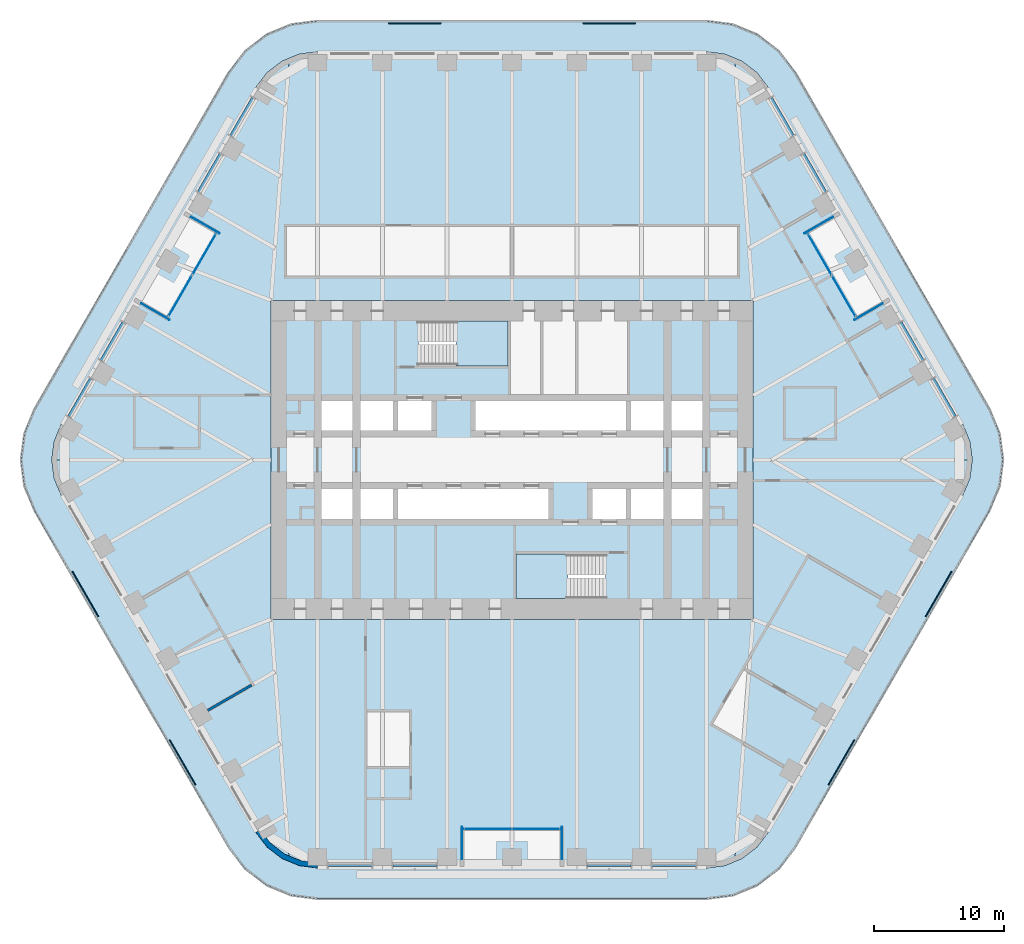
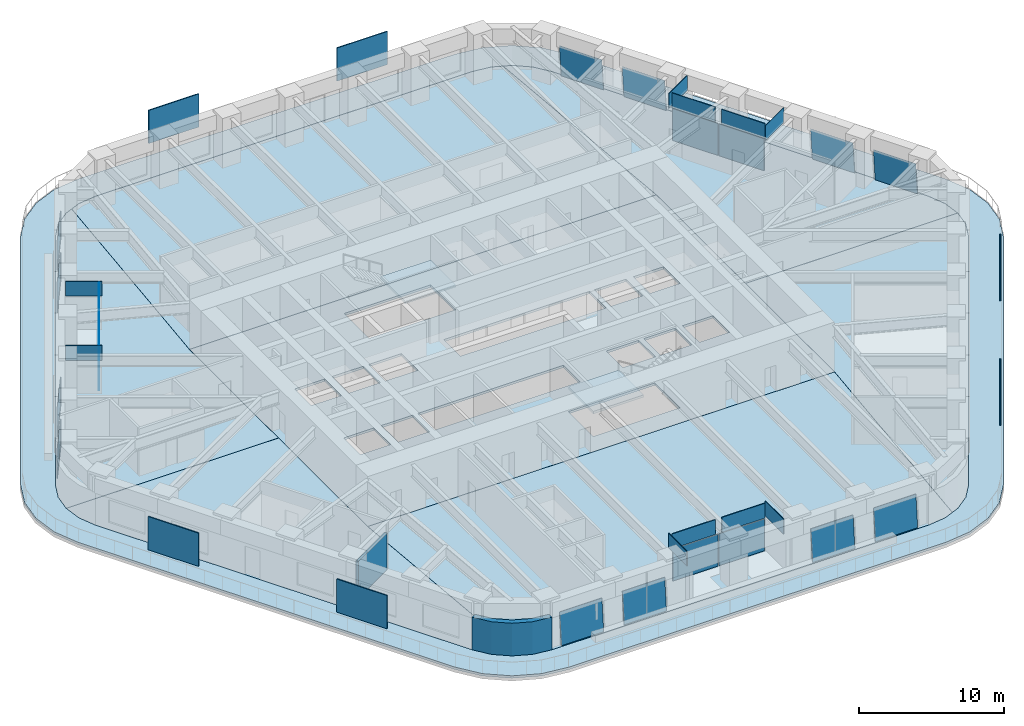
# One storey, part 16 of 24: 36 plates, 10 slabs, 2 walls, 17 elements without a shape of their own.
"""IFC4 building model written with IfcOpenShell, lengths in metres."""

from ifc_helpers import new_model, si_unit, direction, frame, frame_2d, origin, origin_2d, place, context, subcontext, project, spatial, polyline, rectangle, outline, extrude, material, layer, layer_set, type_object, element, aggregate, save


model = new_model("IFC4")

# Units and contexts
model_context = context("Model", 3, precision=1e-05, world=origin(), true_north=direction((0.0, 1.0)))
body_context = subcontext(model_context, "Body", "Model", "MODEL_VIEW")
ifc_project = project(units=[si_unit("LENGTHUNIT", "METRE"), si_unit("AREAUNIT", "SQUARE_METRE"), si_unit("VOLUMEUNIT", "CUBIC_METRE"), si_unit("PLANEANGLEUNIT", "RADIAN"), si_unit("MASSUNIT", "GRAM", prefix="KILO")], contexts=[model_context])

# Site, building, storey
site_placement = place(None, origin())
site = spatial("IfcSite", under=ifc_project, at=site_placement, CompositionType="ELEMENT")
building_placement = place(site_placement, origin())
building = spatial("IfcBuilding", under=site, at=building_placement, Name="Tarfa Lantern Tower", CompositionType="ELEMENT")
storey_placement = place(building_placement, frame((0.0, 0.0, 190.89990234375)))
storey = spatial("IfcBuildingStorey", under=building, at=storey_placement, Name="L43", CompositionType="ELEMENT", Elevation=190.89990234375)

# Slab
ifc_material_1 = material(Name="Concrete C40/50", Category="concrete")
ifc_layer_1 = layer(ifc_material_1, 0.199951171875)
ifc_layer_set_1 = layer_set([ifc_layer_1], Name="BS2 BALCONY SLAB 200")
slab_type_1 = type_object("IfcSlabType", Name="BS2 BALCONY SLAB 200", PredefinedType="FLOOR", material=ifc_layer_set_1)
slab_1_placement = place(storey_placement, frame((0.0, 0.0, -0.199951171875)))
element("IfcSlab", 1, at=slab_1_placement, inside=storey, type_object=slab_type_1, Name="Balcony L43", PredefinedType="FLOOR", context=body_context, shape_type="SweptSolid", body=[
    extrude(outline(polyline([(36.86376953125, 3.949951171875), (21.852783203125, 29.949951171875), (20.59716796875, 31.586181640625), (18.961181640625, 32.841552734375), (17.0556640625, 33.630859375), (15.010986328125, 33.89990234375), (-15.010986328125, 33.89990234375), (-17.0556640625, 33.630859375), (-18.961181640625, 32.841552734375), (-20.59716796875, 31.586181640625), (-21.852783203125, 29.949951171875), (-36.86376953125, 3.949951171875), (-37.653076171875, 2.044677734375), (-37.922119140625, 0.0), (-37.653076171875, -2.044677734375), (-36.86376953125, -3.949951171875), (-21.852783203125, -29.949951171875), (-20.59716796875, -31.586181640625), (-18.961181640625, -32.841552734375), (-17.0556640625, -33.630859375), (-15.010986328125, -33.89990234375), (15.010986328125, -33.89990234375), (17.0556640625, -33.630859375), (18.961181640625, -32.841552734375), (20.59716796875, -31.586181640625), (21.852783203125, -29.949951171875), (36.86376953125, -3.949951171875), (37.653076171875, -2.044677734375), (37.922119140625, 0.0), (37.653076171875, 2.044677734375), (36.86376953125, 3.949951171875)]), holes=[polyline([(34.785400390625, 2.75), (19.774169921875, 28.75), (18.900146484375, 29.88916015625), (17.760986328125, 30.76318359375), (16.4345703125, 31.3125), (15.010986328125, 31.5), (-15.010986328125, 31.5), (-16.4345703125, 31.3125), (-17.760986328125, 30.76318359375), (-18.900146484375, 29.88916015625), (-19.774169921875, 28.75), (-34.785400390625, 2.75), (-35.334716796875, 1.423583984375), (-35.522216796875, 0.0), (-35.334716796875, -1.423583984375), (-34.785400390625, -2.75), (-19.774169921875, -28.75), (-18.900146484375, -29.88916015625), (-17.760986328125, -30.76318359375), (-16.4345703125, -31.3125), (-15.010986328125, -31.5), (15.010986328125, -31.5), (16.4345703125, -31.3125), (17.760986328125, -30.76318359375), (18.900146484375, -29.88916015625), (19.774169921875, -28.75), (34.785400390625, -2.75), (35.334716796875, -1.423583984375), (35.522216796875, 0.0), (35.334716796875, 1.423583984375), (34.785400390625, 2.75)])]), origin(), (0.0, 0.0, 1.0), 0.199951171875),
])

# Curtain wall, plate
ifc_material_2 = material(Name="Aluminium framed curtain wall", Category="aluminium")
curtain_wall_type_1 = type_object("IfcCurtainWallType", Name="CW2 CANTED GLAZING MID ZONE 2750", PredefinedType="USERDEFINED", material=ifc_material_2)
curtain_wall_1_placement = place(storey_placement, origin())
curtain_wall_1 = element("IfcCurtainWall", 2, at=curtain_wall_1_placement, inside=storey, type_object=curtain_wall_type_1, Name="CW2 NE L43", ObjectType="CURTAIN WALL", PredefinedType="USERDEFINED")
ifc_material_3 = material(Name="Laminated double glazing", Category="glass")
ifc_layer_2 = layer(ifc_material_3, 0.028076171875)
ifc_layer_set_2 = layer_set([ifc_layer_2], Name="CWP1 DOUBLE GLAZED PANEL")
plate_type_1 = type_object("IfcPlateType", Name="CWP1 DOUBLE GLAZED PANEL", PredefinedType="CURTAIN_PANEL", material=ifc_layer_set_2)
plate_1_placement = place(storey_placement, frame((34.291259765625, 3.40576171875, 0.0), z_axis=(0.862490403653, 0.497906600839, 0.090550099107), x_axis=(-0.499960487749, 0.866048214992, 0.0)))
plate_1 = element("IfcPlate", 3, at=plate_1_placement, type_object=plate_type_1, Name="CW2 panel 1.1", PredefinedType="CURTAIN_PANEL", context=body_context, shape_type="SweptSolid", body=[
    extrude(outline(polyline([(0.0, 0.0), (3.373801769256558, 0.0), (3.373787529728875, 2.6961345800680987), (-1.4239527682619046e-05, 2.6961345800680987), (0.0, 0.0)])), origin(), (0.0, 0.0, -1.0), 0.028076171875),
])
aggregate(curtain_wall_1, [plate_1])

curtain_wall_2_placement = place(storey_placement, origin())
curtain_wall_2 = element("IfcCurtainWall", 4, at=curtain_wall_2_placement, inside=storey, type_object=curtain_wall_type_1, Name="CW2 NE L43", ObjectType="CURTAIN WALL", PredefinedType="USERDEFINED")
plate_2_placement = place(storey_placement, frame((31.789306640625, 7.7392578125, 0.0), z_axis=(0.86245984588, 0.497966600243, 0.090511210832), x_axis=(-0.500018737427, 0.866014585451, -2.824613e-06)))
plate_2 = element("IfcPlate", 5, at=plate_2_placement, type_object=plate_type_1, Name="CW2 panel 1.1", PredefinedType="CURTAIN_PANEL", context=body_context, shape_type="SweptSolid", body=[
    extrude(outline(polyline([(0.0, 0.0), (3.3735903322694574, -2.7755575615628914e-17), (3.373584929142382, 2.6961345780447465), (-0.00012747801414286628, 2.696115440975584), (0.0, 0.0)])), origin(), (0.0, 0.0, -1.0), 0.028076171875),
])
aggregate(curtain_wall_2, [plate_2])

curtain_wall_3_placement = place(storey_placement, origin())
curtain_wall_3 = element("IfcCurtainWall", 6, at=curtain_wall_3_placement, inside=storey, type_object=curtain_wall_type_1, Name="CW2 NEB L43", ObjectType="CURTAIN WALL", PredefinedType="USERDEFINED")
plate_3_placement = place(storey_placement, frame((24.283935546875, 20.7392578125, 0.0), z_axis=(0.862441180369, 0.497991857304, 0.090550099186), x_axis=(-0.500046095904, 0.865998788666, 0.0)))
plate_3 = element("IfcPlate", 7, at=plate_3_placement, type_object=plate_type_1, Name="CW2 panel 1.1", PredefinedType="CURTAIN_PANEL", context=body_context, shape_type="SweptSolid", body=[
    extrude(outline(polyline([(0.0, 0.0), (3.373712408853507, 2.7755575615628914e-17), (3.373722302583923, 2.696134580087549), (9.893730415961136e-06, 2.696134580087549), (0.0, 0.0)])), origin(), (0.0, 0.0, -1.0), 0.028076171875),
])
aggregate(curtain_wall_3, [plate_3])

curtain_wall_4_placement = place(storey_placement, origin())
curtain_wall_4 = element("IfcCurtainWall", 8, at=curtain_wall_4_placement, inside=storey, type_object=curtain_wall_type_1, Name="CW2 NEB L43", ObjectType="CURTAIN WALL", PredefinedType="USERDEFINED")
plate_4_placement = place(storey_placement, frame((21.781982421875, 25.072509765625, 0.0), z_axis=(0.862472388202, 0.497937806475, 0.090550099238), x_axis=(-0.499991822116, 0.866030125237, 0.0)))
plate_4 = element("IfcPlate", 9, at=plate_4_placement, type_object=plate_type_1, Name="CW2 panel 1.1", PredefinedType="CURTAIN_PANEL", context=body_context, shape_type="SweptSolid", body=[
    extrude(outline(polyline([(0.0, 0.0), (3.3735903339122224, 2.7755575615628914e-17), (3.3735849274996186, 2.6961345801002814), (-5.40641260378432e-06, 2.6961345801002814), (0.0, 0.0)])), origin(), (0.0, 0.0, -1.0), 0.028076171875),
])
aggregate(curtain_wall_4, [plate_4])

# Curtain wall, plates
curtain_wall_type_2 = type_object("IfcCurtainWallType", Name="CW10 LOGGIA GLAZING 2750", PredefinedType="USERDEFINED", material=ifc_material_2)
curtain_wall_5_placement = place(storey_placement, origin())
curtain_wall_5 = element("IfcCurtainWall", 10, at=curtain_wall_5_placement, inside=storey, type_object=curtain_wall_type_2, Name="CW10 NEL L43", ObjectType="CURTAIN WALL", PredefinedType="USERDEFINED")
plate_5_placement = place(storey_placement, frame((25.599609375, 12.660400390625, 0.0), z_axis=(0.0, 0.0, 1.0), x_axis=(-0.5, 0.866025403784, 0.0)))
plate_5 = element("IfcPlate", 11, at=plate_5_placement, type_object=plate_type_1, Name="CW10 panel 1.1", PredefinedType="CURTAIN_PANEL", context=body_context, shape_type="SweptSolid", body=[
    extrude(rectangle(XDim=3.606201171875, YDim=0.028076171875, at=origin_2d()), origin(), (0.0, 0.0, 1.0), 2.68505859375),
])
plate_6_placement = place(storey_placement, frame((23.763916015625, 15.839599609375, 0.0), z_axis=(0.0, 0.0, 1.0), x_axis=(-0.5, 0.866025403784, 0.0)))
plate_6 = element("IfcPlate", 12, at=plate_6_placement, type_object=plate_type_1, Name="CW10 panel 2.1", PredefinedType="CURTAIN_PANEL", context=body_context, shape_type="SweptSolid", body=[
    extrude(rectangle(XDim=3.606201171875, YDim=0.028076171875, at=origin_2d()), origin(), (0.0, 0.0, 1.0), 2.68505859375),
])
aggregate(curtain_wall_5, [plate_5, plate_6])

# Curtain wall, plate
curtain_wall_6_placement = place(storey_placement, origin())
curtain_wall_6 = element("IfcCurtainWall", 13, at=curtain_wall_6_placement, inside=storey, type_object=curtain_wall_type_1, Name="CW2 NW L43", ObjectType="CURTAIN WALL", PredefinedType="USERDEFINED")
plate_7_placement = place(storey_placement, frame((-20.09521484375, 27.994140625, 0.0), z_axis=(-0.862472388202, 0.497937806475, 0.090550099238), x_axis=(-0.499991822116, -0.866030125237, 0.0)))
plate_7 = element("IfcPlate", 14, at=plate_7_placement, type_object=plate_type_1, Name="CW2 panel 1.1", PredefinedType="CURTAIN_PANEL", context=body_context, shape_type="SweptSolid", body=[
    extrude(outline(polyline([(0.0, 0.0), (3.3735903339122224, -2.7755575615628914e-17), (3.3735957403248262, 2.6961345801002814), (5.40641260378432e-06, 2.6961345801002814), (0.0, 0.0)])), origin(), (0.0, 0.0, -1.0), 0.028076171875),
])
aggregate(curtain_wall_6, [plate_7])

curtain_wall_7_placement = place(storey_placement, origin())
curtain_wall_7 = element("IfcCurtainWall", 15, at=curtain_wall_7_placement, inside=storey, type_object=curtain_wall_type_1, Name="CW2 NW L43", ObjectType="CURTAIN WALL", PredefinedType="USERDEFINED")
plate_8_placement = place(storey_placement, frame((-22.596923828125, 23.660888671875, 0.0), z_axis=(-0.862441180369, 0.497991857304, 0.090550099186), x_axis=(-0.500046095904, -0.865998788666, 0.0)))
plate_8 = element("IfcPlate", 16, at=plate_8_placement, type_object=plate_type_1, Name="CW2 panel 1.1", PredefinedType="CURTAIN_PANEL", context=body_context, shape_type="SweptSolid", body=[
    extrude(outline(polyline([(0.0, 0.0), (3.373712408853507, -2.7755575615628914e-17), (3.3737025151230906, 2.696134580087549), (-9.893730415961136e-06, 2.696134580087549), (0.0, 0.0)])), origin(), (0.0, 0.0, -1.0), 0.028076171875),
])
aggregate(curtain_wall_7, [plate_8])

curtain_wall_8_placement = place(storey_placement, origin())
curtain_wall_8 = element("IfcCurtainWall", 17, at=curtain_wall_8_placement, inside=storey, type_object=curtain_wall_type_1, Name="CW2 NWB L43", ObjectType="CURTAIN WALL", PredefinedType="USERDEFINED")
plate_9_placement = place(storey_placement, frame((-30.1025390625, 10.660888671875, 0.0), z_axis=(-0.86245984588, 0.497966600243, 0.090511210832), x_axis=(-0.500018737427, -0.866014585451, 2.824613e-06)))
plate_9 = element("IfcPlate", 18, at=plate_9_placement, type_object=plate_type_1, Name="CW2 panel 1.1", PredefinedType="CURTAIN_PANEL", context=body_context, shape_type="SweptSolid", body=[
    extrude(outline(polyline([(0.0, 0.0), (3.3735903322694574, 2.7755575615628914e-17), (3.3737178102836, 2.696115440975584), (5.4031270756551335e-06, 2.6961345780447465), (0.0, 0.0)])), origin(), (0.0, 0.0, -1.0), 0.028076171875),
])
aggregate(curtain_wall_8, [plate_9])

curtain_wall_9_placement = place(storey_placement, origin())
curtain_wall_9 = element("IfcCurtainWall", 19, at=curtain_wall_9_placement, inside=storey, type_object=curtain_wall_type_1, Name="CW2 NWB L43", ObjectType="CURTAIN WALL", PredefinedType="USERDEFINED")
plate_10_placement = place(storey_placement, frame((-32.6044921875, 6.32763671875, 0.0), z_axis=(-0.862490403653, 0.497906600839, 0.090550099107), x_axis=(-0.499960487749, -0.866048214992, 0.0)))
plate_10 = element("IfcPlate", 20, at=plate_10_placement, type_object=plate_type_1, Name="CW2 panel 1.1", PredefinedType="CURTAIN_PANEL", context=body_context, shape_type="SweptSolid", body=[
    extrude(outline(polyline([(0.0, 0.0), (3.373801769256558, 0.0), (3.37381600878424, 2.6961345800680987), (1.4239527682619046e-05, 2.6961345800680987), (0.0, 0.0)])), origin(), (0.0, 0.0, -1.0), 0.028076171875),
])
aggregate(curtain_wall_9, [plate_10])

# Curtain wall, plates
curtain_wall_10_placement = place(storey_placement, origin())
curtain_wall_10 = element("IfcCurtainWall", 21, at=curtain_wall_10_placement, inside=storey, type_object=curtain_wall_type_2, Name="CW10 NWL L43", ObjectType="CURTAIN WALL", PredefinedType="USERDEFINED")
plate_11_placement = place(storey_placement, frame((-23.763916015625, 15.839599609375, 0.0), z_axis=(0.0, 0.0, 1.0), x_axis=(-0.5, -0.866025403784, 0.0)))
plate_11 = element("IfcPlate", 22, at=plate_11_placement, type_object=plate_type_1, Name="CW10 panel 1.1", PredefinedType="CURTAIN_PANEL", context=body_context, shape_type="SweptSolid", body=[
    extrude(rectangle(XDim=3.606201171875, YDim=0.028076171875, at=origin_2d()), origin(), (0.0, 0.0, 1.0), 2.68505859375),
])
plate_12_placement = place(storey_placement, frame((-25.599609375, 12.660400390625, 0.0), z_axis=(0.0, 0.0, 1.0), x_axis=(-0.5, -0.866025403784, 0.0)))
plate_12 = element("IfcPlate", 23, at=plate_12_placement, type_object=plate_type_1, Name="CW10 panel 2.1", PredefinedType="CURTAIN_PANEL", context=body_context, shape_type="SweptSolid", body=[
    extrude(rectangle(XDim=3.606201171875, YDim=0.028076171875, at=origin_2d()), origin(), (0.0, 0.0, 1.0), 2.68505859375),
])
aggregate(curtain_wall_10, [plate_11, plate_12])

# Curtain wall, plate
curtain_wall_11_placement = place(storey_placement, origin())
curtain_wall_11 = element("IfcCurtainWall", 24, at=curtain_wall_11_placement, inside=storey, type_object=curtain_wall_type_1, Name="CW2 S L43", ObjectType="CURTAIN WALL", PredefinedType="USERDEFINED")
plate_13_placement = place(storey_placement, frame((-14.196044921875, -31.39990234375, 0.0), z_axis=(0.0, -0.995899883883, 0.090462264412), x_axis=(1.0, 0.0, 0.0)))
plate_13 = element("IfcPlate", 25, at=plate_13_placement, type_object=plate_type_1, Name="CW2 panel 1.1", PredefinedType="CURTAIN_PANEL", context=body_context, shape_type="SweptSolid", body=[
    extrude(outline(polyline([(0.0, 0.0), (3.37353515625, 0.0), (3.37353515625, 2.696112969992395), (0.0, 2.696112969992395), (0.0, 0.0)])), origin(), (0.0, 0.0, -1.0), 0.028076171875),
])
aggregate(curtain_wall_11, [plate_13])

curtain_wall_12_placement = place(storey_placement, origin())
curtain_wall_12 = element("IfcCurtainWall", 26, at=curtain_wall_12_placement, inside=storey, type_object=curtain_wall_type_1, Name="CW2 S L43", ObjectType="CURTAIN WALL", PredefinedType="USERDEFINED")
plate_14_placement = place(storey_placement, frame((-9.1923828125, -31.39990234375, 0.0), z_axis=(0.0, -0.995899883883, 0.090462264412), x_axis=(1.0, 0.0, 0.0)))
plate_14 = element("IfcPlate", 27, at=plate_14_placement, type_object=plate_type_1, Name="CW2 panel 1.1", PredefinedType="CURTAIN_PANEL", context=body_context, shape_type="SweptSolid", body=[
    extrude(outline(polyline([(0.0, 0.0), (3.373779296875, 0.0), (3.373779296875, 2.696112969992395), (0.0, 2.696112969992395), (0.0, 0.0)])), origin(), (0.0, 0.0, -1.0), 0.028076171875),
])
aggregate(curtain_wall_12, [plate_14])

curtain_wall_13_placement = place(storey_placement, origin())
curtain_wall_13 = element("IfcCurtainWall", 28, at=curtain_wall_13_placement, inside=storey, type_object=curtain_wall_type_1, Name="CW2 SB L43", ObjectType="CURTAIN WALL", PredefinedType="USERDEFINED")
plate_15_placement = place(storey_placement, frame((5.818603515625, -31.39990234375, 0.0), z_axis=(0.0, -0.995899883883, 0.090462264412), x_axis=(1.0, 0.0, 0.0)))
plate_15 = element("IfcPlate", 29, at=plate_15_placement, type_object=plate_type_1, Name="CW2 panel 1.1", PredefinedType="CURTAIN_PANEL", context=body_context, shape_type="SweptSolid", body=[
    extrude(outline(polyline([(0.0, 0.0), (3.373779296875, 0.0), (3.373779296875, 2.696112969992395), (0.0, 2.696112969992395), (0.0, 0.0)])), origin(), (0.0, 0.0, -1.0), 0.028076171875),
])
aggregate(curtain_wall_13, [plate_15])

curtain_wall_14_placement = place(storey_placement, origin())
curtain_wall_14 = element("IfcCurtainWall", 30, at=curtain_wall_14_placement, inside=storey, type_object=curtain_wall_type_1, Name="CW2 SB L43", ObjectType="CURTAIN WALL", PredefinedType="USERDEFINED")
plate_16_placement = place(storey_placement, frame((10.822509765625, -31.39990234375, 0.0), z_axis=(0.0, -0.995899883883, 0.090462264412), x_axis=(1.0, 0.0, 0.0)))
plate_16 = element("IfcPlate", 31, at=plate_16_placement, type_object=plate_type_1, Name="CW2 panel 1.1", PredefinedType="CURTAIN_PANEL", context=body_context, shape_type="SweptSolid", body=[
    extrude(outline(polyline([(0.0, 0.0), (3.37353515625, 0.0), (3.37353515625, 2.696112969992395), (0.0, 2.696112969992395), (0.0, 0.0)])), origin(), (0.0, 0.0, -1.0), 0.028076171875),
])
aggregate(curtain_wall_14, [plate_16])

# Curtain wall, plates
curtain_wall_15_placement = place(storey_placement, origin())
curtain_wall_15 = element("IfcCurtainWall", 32, at=curtain_wall_15_placement, inside=storey, type_object=curtain_wall_type_2, Name="CW10 SL L43", ObjectType="CURTAIN WALL", PredefinedType="USERDEFINED")
plate_17_placement = place(storey_placement, frame((-1.835693359375, -28.5, 0.0), z_axis=(0.0, 0.0, 1.0), x_axis=(1.0, 0.0, 0.0)))
plate_17 = element("IfcPlate", 33, at=plate_17_placement, type_object=plate_type_1, Name="CW10 panel 1.1", PredefinedType="CURTAIN_PANEL", context=body_context, shape_type="SweptSolid", body=[
    extrude(rectangle(XDim=3.606201171875, YDim=0.028076171875, at=origin_2d()), origin(), (0.0, 0.0, 1.0), 2.68505859375),
])
plate_18_placement = place(storey_placement, frame((1.835693359375, -28.5, 0.0), z_axis=(0.0, 0.0, 1.0), x_axis=(1.0, 0.0, 0.0)))
plate_18 = element("IfcPlate", 34, at=plate_18_placement, type_object=plate_type_1, Name="CW10 panel 2.1", PredefinedType="CURTAIN_PANEL", context=body_context, shape_type="SweptSolid", body=[
    extrude(rectangle(XDim=3.606201171875, YDim=0.028076171875, at=origin_2d()), origin(), (0.0, 0.0, 1.0), 2.68505859375),
])
aggregate(curtain_wall_15, [plate_17, plate_18])

# Slabs
ifc_layer_3 = layer(ifc_material_1, 0.199951171875)
ifc_layer_set_3 = layer_set([ifc_layer_3], Name="FS1 FLOOR SLAB 200")
slab_type_2 = type_object("IfcSlabType", Name="FS1 FLOOR SLAB 200", PredefinedType="FLOOR", material=ifc_layer_set_3)
slab_2_placement = place(storey_placement, frame((0.0, 0.0, -0.199951171875)))
element("IfcSlab", 35, at=slab_2_placement, inside=storey, type_object=slab_type_2, Name="Floor slab L43", PredefinedType="FLOOR", context=body_context, shape_type="SweptSolid", body=[
    extrude(outline(polyline([(-18.60009765625, -12.300048828125), (18.60009765625, -12.300048828125), (18.60009765625, 12.300048828125), (-18.60009765625, 12.300048828125), (-18.60009765625, -12.300048828125)]), holes=[polyline([(-14.699951171875, 2.25), (-12.300048828125, 2.25), (-12.300048828125, 4.550048828125), (-14.699951171875, 4.550048828125), (-14.699951171875, 2.25)]), polyline([(-11.699951171875, 2.25), (-9.199951171875, 2.25), (-9.199951171875, 4.550048828125), (-11.699951171875, 4.550048828125), (-11.699951171875, 2.25)]), polyline([(-8.800048828125, 2.25), (-6.199951171875, 2.25), (-6.199951171875, 4.550048828125), (-8.800048828125, 4.550048828125), (-8.800048828125, 2.25)]), polyline([(-2.800048828125, 2.25), (8.800048828125, 2.25), (8.800048828125, 4.550048828125), (-2.800048828125, 4.550048828125), (-2.800048828125, 2.25)]), polyline([(9.199951171875, 2.25), (11.699951171875, 2.25), (11.699951171875, 4.550048828125), (9.199951171875, 4.550048828125), (9.199951171875, 2.25)]), polyline([(12.300048828125, 2.25), (14.699951171875, 2.25), (14.699951171875, 4.550048828125), (12.300048828125, 4.550048828125), (12.300048828125, 2.25)]), polyline([(14.699951171875, -2.25), (12.300048828125, -2.25), (12.300048828125, -4.550048828125), (14.699951171875, -4.550048828125), (14.699951171875, -2.25)]), polyline([(11.699951171875, -2.25), (9.199951171875, -2.25), (9.199951171875, -4.550048828125), (11.699951171875, -4.550048828125), (11.699951171875, -2.25)]), polyline([(8.800048828125, -2.25), (6.199951171875, -2.25), (6.199951171875, -4.550048828125), (8.800048828125, -4.550048828125), (8.800048828125, -2.25)]), polyline([(2.800048828125, -2.25), (-8.800048828125, -2.25), (-8.800048828125, -4.550048828125), (2.800048828125, -4.550048828125), (2.800048828125, -2.25)]), polyline([(-9.199951171875, -2.25), (-11.699951171875, -2.25), (-11.699951171875, -4.550048828125), (-9.199951171875, -4.550048828125), (-9.199951171875, -2.25)]), polyline([(-12.300048828125, -2.25), (-14.699951171875, -2.25), (-14.699951171875, -4.550048828125), (-12.300048828125, -4.550048828125), (-12.300048828125, -2.25)]), polyline([(-7.199951171875, 7.25), (-0.300048828125, 7.25), (-0.300048828125, 10.699951171875), (-7.199951171875, 10.699951171875), (-7.199951171875, 7.25)]), polyline([(7.199951171875, -7.25), (0.300048828125, -7.25), (0.300048828125, -10.699951171875), (7.199951171875, -10.699951171875), (7.199951171875, -7.25)])]), origin(), (0.0, 0.0, 1.0), 0.199951171875),
])
slab_3_placement = place(storey_placement, frame((0.0, 0.0, -0.199951171875)))
element("IfcSlab", 36, at=slab_3_placement, inside=storey, type_object=slab_type_2, Name="Floor slab L43 NE bay", PredefinedType="FLOOR", context=body_context, shape_type="SweptSolid", body=[
    extrude(outline(polyline([(34.783447265625, 2.7490234375), (19.7724609375, 28.748779296875), (18.898681640625, 29.8876953125), (17.760009765625, 30.761474609375), (17.19189453125, 30.996826171875), (18.60205078125, 12.300048828125), (18.60205078125, 0.001953125), (35.52001953125, 0.001953125), (35.332763671875, 1.423095703125), (34.783447265625, 2.7490234375)])), origin(), (0.0, 0.0, 1.0), 0.199951171875),
])
slab_4_placement = place(storey_placement, frame((0.0, 0.0, -0.199951171875)))
element("IfcSlab", 37, at=slab_4_placement, inside=storey, type_object=slab_type_2, Name="Floor slab L43 N bay", PredefinedType="FLOOR", context=body_context, shape_type="SweptSolid", body=[
    extrude(outline(polyline([(-18.597900390625, 12.302001953125), (18.597900390625, 12.302001953125), (17.187744140625, 30.99853515625), (16.43408203125, 31.310546875), (15.010986328125, 31.498046875), (-15.010986328125, 31.498046875), (-16.43408203125, 31.310546875), (-17.187744140625, 30.99853515625), (-18.597900390625, 12.302001953125)])), origin(), (0.0, 0.0, 1.0), 0.199951171875),
])
slab_5_placement = place(storey_placement, frame((0.0, 0.0, -0.199951171875)))
element("IfcSlab", 38, at=slab_5_placement, inside=storey, type_object=slab_type_2, Name="Floor slab L43 NW bay", PredefinedType="FLOOR", context=body_context, shape_type="SweptSolid", body=[
    extrude(outline(polyline([(-18.60205078125, 0.001953125), (-18.60205078125, 12.300048828125), (-17.19189453125, 30.996826171875), (-17.760009765625, 30.761474609375), (-18.898681640625, 29.8876953125), (-19.7724609375, 28.748779296875), (-34.783447265625, 2.7490234375), (-35.332763671875, 1.423095703125), (-35.52001953125, 0.001953125), (-18.60205078125, 0.001953125)])), origin(), (0.0, 0.0, 1.0), 0.199951171875),
])
slab_6_placement = place(storey_placement, frame((0.0, 0.0, -0.199951171875)))
element("IfcSlab", 39, at=slab_6_placement, inside=storey, type_object=slab_type_2, Name="Floor slab L43 SW bay", PredefinedType="FLOOR", context=body_context, shape_type="SweptSolid", body=[
    extrude(outline(polyline([(-18.60205078125, -12.300048828125), (-18.60205078125, -0.001953125), (-35.52001953125, -0.001953125), (-35.332763671875, -1.423095703125), (-34.783447265625, -2.7490234375), (-19.7724609375, -28.748779296875), (-18.898681640625, -29.8876953125), (-17.760009765625, -30.761474609375), (-17.19189453125, -30.996826171875), (-18.60205078125, -12.300048828125)])), origin(), (0.0, 0.0, 1.0), 0.199951171875),
])
slab_7_placement = place(storey_placement, frame((0.0, 0.0, -0.199951171875)))
element("IfcSlab", 40, at=slab_7_placement, inside=storey, type_object=slab_type_2, Name="Floor slab L43 S bay", PredefinedType="FLOOR", context=body_context, shape_type="SweptSolid", body=[
    extrude(outline(polyline([(18.597900390625, -12.302001953125), (-18.597900390625, -12.302001953125), (-17.187744140625, -30.99853515625), (-16.43408203125, -31.310546875), (-15.010986328125, -31.498046875), (15.010986328125, -31.498046875), (16.43408203125, -31.310546875), (17.187744140625, -30.99853515625), (18.597900390625, -12.302001953125)])), origin(), (0.0, 0.0, 1.0), 0.199951171875),
])
slab_8_placement = place(storey_placement, frame((0.0, 0.0, -0.199951171875)))
element("IfcSlab", 41, at=slab_8_placement, inside=storey, type_object=slab_type_2, Name="Floor slab L43 SE bay", PredefinedType="FLOOR", context=body_context, shape_type="SweptSolid", body=[
    extrude(outline(polyline([(18.60205078125, -0.001953125), (18.60205078125, -12.300048828125), (17.19189453125, -30.996826171875), (17.760009765625, -30.761474609375), (18.898681640625, -29.8876953125), (19.7724609375, -28.748779296875), (34.783447265625, -2.7490234375), (35.332763671875, -1.423095703125), (35.52001953125, -0.001953125), (18.60205078125, -0.001953125)])), origin(), (0.0, 0.0, 1.0), 0.199951171875),
])

# Plates
ifc_material_4 = material(Name="Aluminium fascia panel", Category="aluminium")
ifc_layer_4 = layer(ifc_material_4, 0.050048828125)
ifc_layer_set_4 = layer_set([ifc_layer_4], Name="LF1 LOGGIA HEAD FASCIA 50")
plate_type_2 = type_object("IfcPlateType", Name="LF1 LOGGIA HEAD FASCIA 50", PredefinedType="USERDEFINED", material=ifc_layer_set_4)
for number, where, z_axis, x_axis, name in (
    (42, (25.670166015625, 12.5380859375, 2.75), (0.0, 0.0, 1.0), (-0.5, 0.866025403784, 0.0), "Loggia head fascia NE"),
    (43, (23.693359375, 15.9619140625, 2.75), (0.0, 0.0, 1.0), (-0.5, 0.866025403784, 0.0), "Loggia head fascia NE"),
):
    element("IfcPlate", number, at=place(storey_placement, frame(where, z_axis=z_axis, x_axis=x_axis)), inside=storey, type_object=plate_type_2, Name=name, ObjectType="FASCIA", PredefinedType="USERDEFINED", context=body_context, shape_type="SweptSolid", body=[
        extrude(rectangle(XDim=3.45361328125, YDim=0.050048828125, at=origin_2d()), origin(), (0.0, 0.0, 1.0), 1.25),
    ])
for number, where, z_axis, x_axis, name in (
    (44, (27.526611328125, 11.442626953125, 2.75), (0.0, 0.0, 1.0), (-0.866025403784, -0.5, 0.0), "Loggia head fascia NE"),
    (45, (23.6728515625, 18.117431640625, 2.75), (0.0, 0.0, 1.0), (-0.866025403784, -0.5, 0.0), "Loggia head fascia NE"),
):
    element("IfcPlate", number, at=place(storey_placement, frame(where, z_axis=z_axis, x_axis=x_axis)), inside=storey, type_object=plate_type_2, Name=name, ObjectType="FASCIA", PredefinedType="USERDEFINED", context=body_context, shape_type="SweptSolid", body=[
        extrude(rectangle(XDim=2.52001953125, YDim=0.050048828125, at=origin_2d()), origin(), (0.0, 0.0, 1.0), 1.25),
    ])
for number, where, z_axis, x_axis, name in (
    (46, (-23.693359375, 15.9619140625, 2.75), (0.0, 0.0, 1.0), (-0.5, -0.866025403784, 0.0), "Loggia head fascia NW"),
    (47, (-25.670166015625, 12.5380859375, 2.75), (0.0, 0.0, 1.0), (-0.5, -0.866025403784, 0.0), "Loggia head fascia NW"),
):
    element("IfcPlate", number, at=place(storey_placement, frame(where, z_axis=z_axis, x_axis=x_axis)), inside=storey, type_object=plate_type_2, Name=name, ObjectType="FASCIA", PredefinedType="USERDEFINED", context=body_context, shape_type="SweptSolid", body=[
        extrude(rectangle(XDim=3.45361328125, YDim=0.050048828125, at=origin_2d()), origin(), (0.0, 0.0, 1.0), 1.25),
    ])
for number, where, z_axis, x_axis, name in (
    (48, (-23.6728515625, 18.117431640625, 2.75), (0.0, 0.0, 1.0), (0.866025403784, -0.5, 0.0), "Loggia head fascia NW"),
    (49, (-27.526611328125, 11.442626953125, 2.75), (0.0, 0.0, 1.0), (0.866025403784, -0.5, 0.0), "Loggia head fascia NW"),
):
    element("IfcPlate", number, at=place(storey_placement, frame(where, z_axis=z_axis, x_axis=x_axis)), inside=storey, type_object=plate_type_2, Name=name, ObjectType="FASCIA", PredefinedType="USERDEFINED", context=body_context, shape_type="SweptSolid", body=[
        extrude(rectangle(XDim=2.52001953125, YDim=0.050048828125, at=origin_2d()), origin(), (0.0, 0.0, 1.0), 1.25),
    ])
for number, where, z_axis, x_axis, name in (
    (50, (-1.976806640625, -28.5, 2.75), (0.0, 0.0, 1.0), (1.0, 0.0, 0.0), "Loggia head fascia S"),
    (51, (1.976806640625, -28.5, 2.75), (0.0, 0.0, 1.0), (1.0, 0.0, 0.0), "Loggia head fascia S"),
):
    element("IfcPlate", number, at=place(storey_placement, frame(where, z_axis=z_axis, x_axis=x_axis)), inside=storey, type_object=plate_type_2, Name=name, ObjectType="FASCIA", PredefinedType="USERDEFINED", context=body_context, shape_type="SweptSolid", body=[
        extrude(rectangle(XDim=3.45361328125, YDim=0.050048828125, at=origin_2d()), origin(), (0.0, 0.0, 1.0), 1.25),
    ])
for number, where, z_axis, x_axis, name in (
    (52, (-3.853759765625, -29.56005859375, 2.75), (0.0, 0.0, 1.0), (0.0, 1.0, 0.0), "Loggia head fascia S"),
    (53, (3.853759765625, -29.56005859375, 2.75), (0.0, 0.0, 1.0), (0.0, 1.0, 0.0), "Loggia head fascia S"),
):
    element("IfcPlate", number, at=place(storey_placement, frame(where, z_axis=z_axis, x_axis=x_axis)), inside=storey, type_object=plate_type_2, Name=name, ObjectType="FASCIA", PredefinedType="USERDEFINED", context=body_context, shape_type="SweptSolid", body=[
        extrude(rectangle(XDim=2.52001953125, YDim=0.050048828125, at=origin_2d()), origin(), (0.0, 0.0, 1.0), 1.25),
    ])
ifc_material_5 = material(Name="Perforated limestone screen", Category="masonry")
ifc_layer_5 = layer(ifc_material_5, 0.080078125)
ifc_layer_set_5 = layer_set([ifc_layer_5], Name="SC1 STONE SCREEN 80")
plate_type_3 = type_object("IfcPlateType", Name="SC1 STONE SCREEN 80", PredefinedType="USERDEFINED", material=ifc_layer_set_5)
for number, where, z_axis, x_axis, name in (
    (54, (7.505615234375, 33.699951171875, 1.2001953125), (0.0, 0.0, 1.0), (-1.0, 0.0, 0.0), "Stone screen N 1"),
    (55, (-7.505615234375, 33.699951171875, 1.2001953125), (0.0, 0.0, 1.0), (-1.0, 0.0, 0.0), "Stone screen N 2"),
    (56, (-32.937744140625, -10.35009765625, 1.2001953125), (0.0, 0.0, 1.0), (0.5, -0.866025403784, 0.0), "Stone screen SW 1"),
    (57, (-25.432373046875, -23.35009765625, 1.2001953125), (0.0, 0.0, 1.0), (0.5, -0.866025403784, 0.0), "Stone screen SW 2"),
    (58, (25.432373046875, -23.35009765625, 1.2001953125), (0.0, 0.0, 1.0), (0.5, 0.866025403784, 0.0), "Stone screen SE 1"),
    (59, (32.937744140625, -10.35009765625, 1.2001953125), (0.0, 0.0, 1.0), (0.5, 0.866025403784, 0.0), "Stone screen SE 2"),
):
    element("IfcPlate", number, at=place(storey_placement, frame(where, z_axis=z_axis, x_axis=x_axis)), inside=storey, type_object=plate_type_3, Name=name, ObjectType="SCREEN", PredefinedType="USERDEFINED", context=body_context, shape_type="SweptSolid", body=[
        extrude(rectangle(XDim=4.0, YDim=0.080078125, at=origin_2d()), origin(), (0.0, 0.0, 1.0), 2.800048828125),
    ])

# Stair, slab
stair_type = type_object("IfcStairType", Name="ST-T10 HALF-TURN STAIR 4200 RISE", PredefinedType="HALF_TURN_STAIR", material=ifc_material_1)
stair_1_placement = place(storey_placement, origin())
stair_1 = element("IfcStair", 60, at=stair_1_placement, inside=storey, type_object=stair_type, Name="Stair ST1", PredefinedType="HALF_TURN_STAIR")
ifc_layer_6 = layer(ifc_material_1, 0.199951171875)
ifc_layer_set_6 = layer_set([ifc_layer_6], Name="SL1 STAIR LANDING 200")
slab_type_3 = type_object("IfcSlabType", Name="SL1 STAIR LANDING 200", PredefinedType="LANDING", material=ifc_layer_set_6)
slab_9_placement = place(storey_placement, frame((0.0, 0.0, 1.900146484375)))
slab_9 = element("IfcSlab", 61, at=slab_9_placement, type_object=slab_type_3, Name="ST1 landing 1", PredefinedType="LANDING", context=body_context, shape_type="SweptSolid", body=[
    extrude(outline(polyline([(-4.320068359375, 7.25), (-0.300048828125, 7.25), (-0.300048828125, 10.699951171875), (-4.320068359375, 10.699951171875), (-4.320068359375, 7.25)])), origin(), (0.0, 0.0, 1.0), 0.199951171875),
])
aggregate(stair_1, [slab_9])

stair_2_placement = place(storey_placement, origin())
stair_2 = element("IfcStair", 62, at=stair_2_placement, inside=storey, type_object=stair_type, Name="Stair ST2", PredefinedType="HALF_TURN_STAIR")
slab_10_placement = place(storey_placement, frame((0.0, 0.0, 1.900146484375)))
slab_10 = element("IfcSlab", 63, at=slab_10_placement, type_object=slab_type_3, Name="ST2 landing 1", PredefinedType="LANDING", context=body_context, shape_type="SweptSolid", body=[
    extrude(outline(polyline([(4.320068359375, -7.25), (0.300048828125, -7.25), (0.300048828125, -10.699951171875), (4.320068359375, -10.699951171875), (4.320068359375, -7.25)])), origin(), (0.0, 0.0, 1.0), 0.199951171875),
])
aggregate(stair_2, [slab_10])

# Walls
ifc_material_6 = material(Name="Limestone cladding on blockwork", Category="masonry")
ifc_layer_7 = layer(ifc_material_6, 0.39990234375)
ifc_layer_set_7 = layer_set([ifc_layer_7], Name="EW2 CURVED STONE CORNER 400")
wall_type_1 = type_object("IfcWallType", Name="EW2 CURVED STONE CORNER 400", PredefinedType="SOLIDWALL", material=ifc_layer_set_7)
wall_1_placement = place(storey_placement, origin())
element("IfcWall", 64, at=wall_1_placement, inside=storey, type_object=wall_type_1, Name="Stone corner SW-S", PredefinedType="SOLIDWALL", context=body_context, shape_type="SweptSolid", body=[
    extrude(outline(polyline([(-19.774169921875, -28.75), (-18.900146484375, -29.88916015625), (-17.760986328125, -30.76318359375), (-16.4345703125, -31.3125), (-15.010986328125, -31.5), (-15.010986328125, -31.10009765625), (-16.3310546875, -30.92626953125), (-17.56103515625, -30.416748046875), (-18.617431640625, -29.606201171875), (-19.427734375, -28.550048828125), (-19.774169921875, -28.75)])), origin(), (0.0, 0.0, 1.0), 2.75),
])
ifc_material_7 = material(Name="Gypsum board on steel studs", Category="steel")
ifc_layer_8 = layer(ifc_material_7, 0.2099609375)
ifc_layer_set_8 = layer_set([ifc_layer_8], Name="IW2 ACOUSTIC PARTITION 200")
wall_type_2 = type_object("IfcWallType", Name="IW2 ACOUSTIC PARTITION 200", PredefinedType="PARTITIONING", material=ifc_layer_set_8)
wall_2_placement = place(storey_placement, frame((-20.101318359375, -17.38330078125, 0.0), z_axis=(0.0, 0.0, 1.0), x_axis=(-0.866042777325, -0.499969906938, 0.0)))
element("IfcWall", 65, at=wall_2_placement, inside=storey, type_object=wall_type_2, Name="Partition", PredefinedType="PARTITIONING", context=body_context, shape_type="SweptSolid", body=[
    extrude(rectangle(XDim=3.900146484375, YDim=0.199951171875, at=frame_2d((1.9501953125, 0.0))), origin(), (0.0, 0.0, 1.0), 3.081787109375),
])

save(model, "model.ifc")
